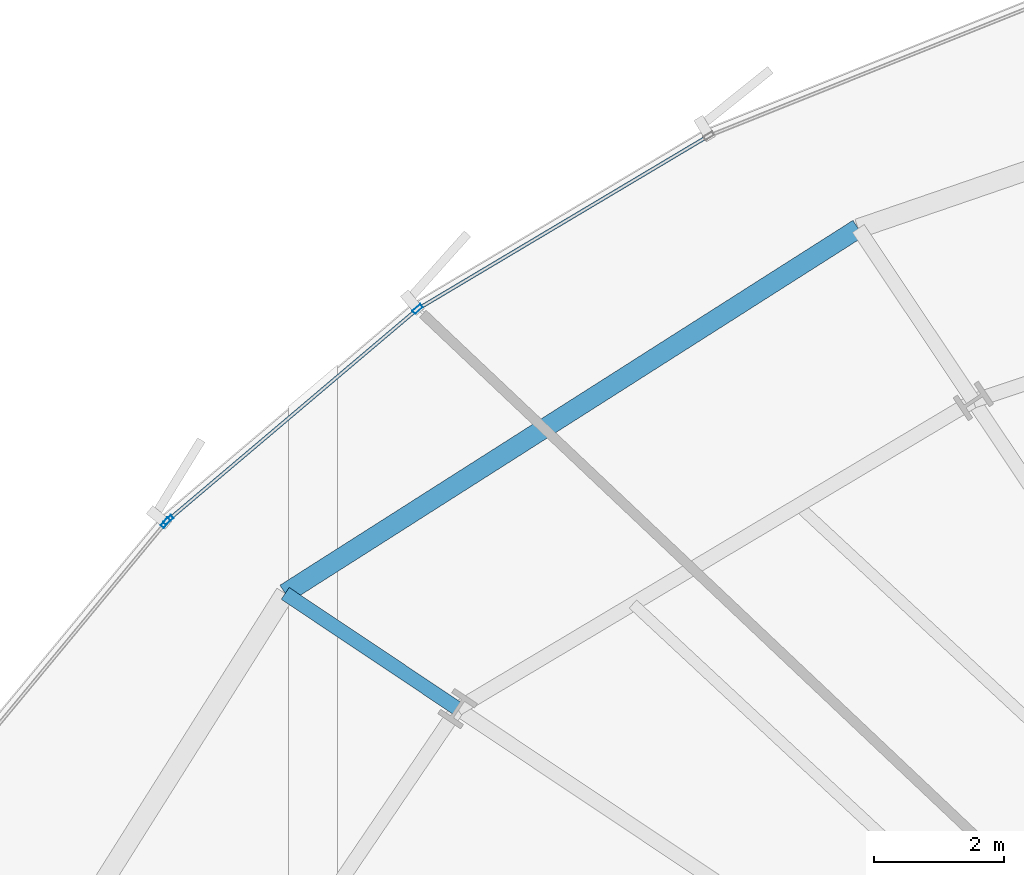
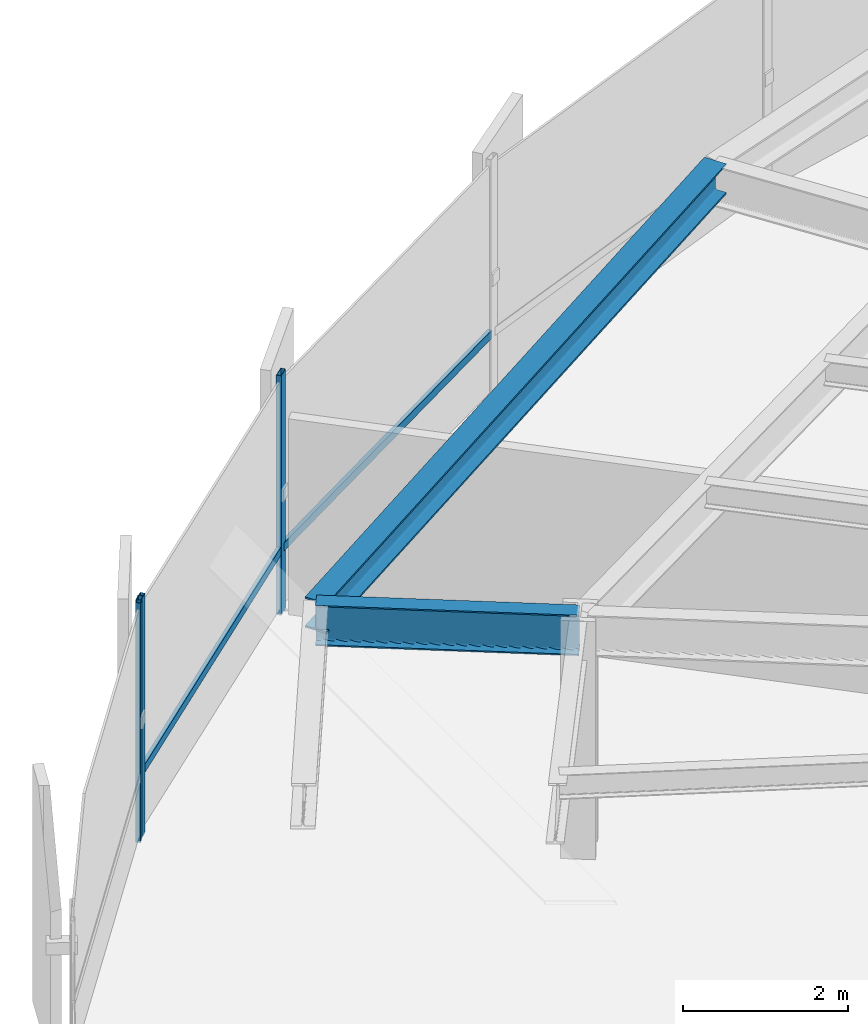
# One storey, part 21 of 39: 5 members, 2 beams, 2 elements without a shape of their own.
"""IFC4 building model written with IfcOpenShell, lengths in metres."""

from ifc_helpers import new_model, si_unit, direction, frame, origin, origin_2d, place, context, subcontext, project, spatial, hollow_rectangle, i_section, extrude, source, transform, mapped, material, layer, layer_set, material_profile, profile_set, type_object, element, aggregate, save


model = new_model("IFC4")

# Units and contexts
model_context = context("Model", 3, precision=1e-05, world=origin(), true_north=direction((0.0, 1.0)))
body_context = subcontext(model_context, "Body", "Model", "MODEL_VIEW")
ifc_project = project(units=[si_unit("LENGTHUNIT", "METRE"), si_unit("AREAUNIT", "SQUARE_METRE"), si_unit("VOLUMEUNIT", "CUBIC_METRE"), si_unit("PLANEANGLEUNIT", "RADIAN"), si_unit("MASSUNIT", "GRAM", prefix="KILO"), si_unit("THERMODYNAMICTEMPERATUREUNIT", "KELVIN")], contexts=[model_context])

# Site, building, storey
site_placement = place(None, origin())
site = spatial("IfcSite", under=ifc_project, at=site_placement, CompositionType="ELEMENT")
building_placement = place(site_placement, origin())
building = spatial("IfcBuilding", under=site, at=building_placement, Name="Kethvar Cultural Tower", CompositionType="ELEMENT")
storey_placement = place(building_placement, frame((0.0, 0.0, 33.39990234375)))
storey = spatial("IfcBuildingStorey", under=building, at=storey_placement, Name="L07", CompositionType="ELEMENT", Elevation=33.39990234375)

# Beams
ifc_material_1 = material(Name="Steel S355J2", Category="steel")
ifc_material_profile_1 = material_profile(ifc_material_1, i_section(OverallWidth=0.219970703125, OverallDepth=0.60009765625, WebThickness=0.011962890625, FlangeThickness=0.01904296875, FilletRadius=0.02392578125, at=origin_2d()), Name="Steel S355J2 — IPE600")
ifc_profile_set_1 = profile_set([ifc_material_profile_1], Name="Steel S355J2 — IPE600")
beam_type_1 = type_object("IfcBeamType", Name="BM-IPE600", PredefinedType="BEAM", material=ifc_profile_set_1)
shared_shape_1 = source(origin(), body_context, "Body", "SweptSolid", [
    extrude(i_section(OverallWidth=0.219970703125, OverallDepth=0.60009765625, WebThickness=0.011962890625, FlangeThickness=0.01904296875, FilletRadius=0.02392578125, at=origin_2d()), origin(), (0.0, 0.0, 1.0), 3.199951171875),
])
beam_1_placement = place(storey_placement, frame((26.6845703125, 41.24072265625, 3.248046875), z_axis=(-0.831462943996, 0.555580212716, 0.0), x_axis=(-0.555580212716, -0.831462943996, 0.0)))
element("IfcBeam", 1, at=beam_1_placement, inside=storey, type_object=beam_type_1, Name="L07 Perimeter Cantilever Beam RC-07", PredefinedType="BEAM", context=body_context, shape_type="MappedRepresentation", body=[
    mapped(shared_shape_1, transform((0.0, 0.0, 0.0), scale=1.0)),
])
ifc_material_profile_2 = material_profile(ifc_material_1, i_section(OverallWidth=0.300048828125, OverallDepth=0.449951171875, WebThickness=0.013916015625, FlangeThickness=0.02587890625, FilletRadius=0.027099609375, at=origin_2d()), Name="Steel S355J2 — HEB450")
ifc_profile_set_2 = profile_set([ifc_material_profile_2], Name="Steel S355J2 — HEB450")
beam_type_2 = type_object("IfcBeamType", Name="BM-SP450", PredefinedType="SPANDREL", material=ifc_profile_set_2)
shared_shape_2 = source(origin(), body_context, "Body", "SweptSolid", [
    extrude(i_section(OverallWidth=0.300048828125, OverallDepth=0.449951171875, WebThickness=0.013916015625, FlangeThickness=0.02587890625, FilletRadius=0.027099609375, at=origin_2d()), origin(), (0.0, 0.0, 1.0), 10.485107421875),
])
beam_2_placement = place(storey_placement, frame((32.8681640625, 48.650390625, 3.322998046875), z_axis=(-0.843502294633, -0.537125570932, 0.0), x_axis=(0.537125570932, -0.843502294633, 0.0)))
element("IfcBeam", 2, at=beam_2_placement, inside=storey, type_object=beam_type_2, Name="L07 Perimeter Spandrel Beam SP-06", PredefinedType="SPANDREL", context=body_context, shape_type="MappedRepresentation", body=[
    mapped(shared_shape_2, transform((0.0, 0.0, 0.0), scale=1.0)),
])

# Curtain wall, members
ifc_material_2 = material(Name="Aluminium 6063-T6", Category="aluminium")
ifc_layer = layer(ifc_material_2, 0.179931640625, Name="Aluminium 6063-T6", Category="aluminium")
ifc_layer_set = layer_set([ifc_layer], Name="Aluminium 6063-T6 (180 mm)")
curtain_wall_type = type_object("IfcCurtainWallType", Name="CW-SYS-02-Z1", PredefinedType="NOTDEFINED", material=ifc_layer_set)
curtain_wall_1_placement = place(storey_placement, origin())
curtain_wall_1 = element("IfcCurtainWall", 3, at=curtain_wall_1_placement, inside=storey, type_object=curtain_wall_type, Name="L07 Curtain Wall Run 03", PredefinedType="NOTDEFINED")
ifc_material_profile_3 = material_profile(ifc_material_2, hollow_rectangle(XDim=0.06494140625, YDim=0.159912109375, WallThickness=0.0048828125, at=origin_2d()), Name="Aluminium 6063-T6 — RHS160x65x5")
ifc_profile_set_3 = profile_set([ifc_material_profile_3], Name="Aluminium 6063-T6 — RHS160x65x5")
member_type_1 = type_object("IfcMemberType", Name="CW-SYS-02-Z1-MUL", PredefinedType="MULLION", material=ifc_profile_set_3)
shared_shape_3 = source(origin(), body_context, "Body", "SweptSolid", [
    extrude(hollow_rectangle(XDim=0.06494140625, YDim=0.159912109375, WallThickness=0.0048828125, at=origin_2d()), origin(), (0.0, 0.0, 1.0), 3.550048828125),
])
member_1_placement = place(storey_placement, frame((26.068115234375, 47.4091796875, 0.0), z_axis=(0.0, 0.0, 1.0), x_axis=(0.646044050583, -0.763300127542, 0.0)))
member_1 = element("IfcMember", 4, at=member_1_placement, type_object=member_type_1, Name="CW-L07-R03 Mullion 6", PredefinedType="MULLION", context=body_context, shape_type="MappedRepresentation", body=[
    mapped(shared_shape_3, transform((0.0, 0.0, 0.0), scale=1.0)),
])
member_2_placement = place(storey_placement, frame((22.220947265625, 44.1533203125, 0.0), z_axis=(0.0, 0.0, 1.0), x_axis=(0.646044050583, -0.763300127542, 0.0)))
member_2 = element("IfcMember", 5, at=member_2_placement, type_object=member_type_1, Name="CW-L07-R03 Mullion 7", PredefinedType="MULLION", context=body_context, shape_type="MappedRepresentation", body=[
    mapped(shared_shape_3, transform((0.0, 0.0, 0.0), scale=1.0)),
])

# Curtain wall, member
curtain_wall_2_placement = place(storey_placement, origin())
curtain_wall_2 = element("IfcCurtainWall", 6, at=curtain_wall_2_placement, inside=storey, type_object=curtain_wall_type, Name="L07 Curtain Wall Run 04", PredefinedType="NOTDEFINED")
member_3_placement = place(storey_placement, frame((22.1767578125, 44.1083984375, 0.0), z_axis=(0.0, 0.0, 1.0), x_axis=(0.770490992012, -0.637450885346, 0.0)))
member_3 = element("IfcMember", 7, at=member_3_placement, type_object=member_type_1, Name="CW-L07-R04 Mullion 1", PredefinedType="MULLION", context=body_context, shape_type="MappedRepresentation", body=[
    mapped(shared_shape_3, transform((0.0, 0.0, 0.0), scale=1.0)),
])
aggregate(curtain_wall_2, [member_3])

# Member
ifc_material_profile_4 = material_profile(ifc_material_2, hollow_rectangle(XDim=0.054931640625, YDim=0.1201171875, WallThickness=0.00390625, at=origin_2d()), Name="Aluminium 6063-T6 — RHS120x55x4")
ifc_profile_set_4 = profile_set([ifc_material_profile_4], Name="Aluminium 6063-T6 — RHS120x55x4")
member_type_2 = type_object("IfcMemberType", Name="CW-SYS-02-Z1-TRN", PredefinedType="USERDEFINED", material=ifc_profile_set_4)
shared_shape_4 = source(origin(), body_context, "Body", "SweptSolid", [
    extrude(hollow_rectangle(XDim=0.054931640625, YDim=0.1201171875, WallThickness=0.00390625, at=origin_2d()), origin(), (0.0, 0.0, 1.0), 5.15625),
])
member_4_placement = place(storey_placement, frame((30.523193359375, 50.05859375, 0.9501953125), z_axis=(-0.859334007138, -0.511414767265, 0.0), x_axis=(0.511414767265, -0.859334007138, 0.0)))
member_4 = element("IfcMember", 8, at=member_4_placement, type_object=member_type_2, Name="CW-L07-R03 Transom 5", ObjectType="TRANSOM", PredefinedType="USERDEFINED", context=body_context, shape_type="MappedRepresentation", body=[
    mapped(shared_shape_4, transform((0.0, 0.0, 0.0), scale=1.0)),
])

shared_shape_5 = source(origin(), body_context, "Body", "SweptSolid", [
    extrude(hollow_rectangle(XDim=0.054931640625, YDim=0.1201171875, WallThickness=0.00390625, at=origin_2d()), origin(), (0.0, 0.0, 1.0), 4.989013671875),
])
member_5_placement = place(storey_placement, frame((26.032470703125, 47.379150390625, 0.9501953125), z_axis=(-0.763297181602, -0.646047531191, 0.0), x_axis=(0.646047531191, -0.763297181602, 0.0)))
member_5 = element("IfcMember", 9, at=member_5_placement, type_object=member_type_2, Name="CW-L07-R03 Transom 6", ObjectType="TRANSOM", PredefinedType="USERDEFINED", context=body_context, shape_type="MappedRepresentation", body=[
    mapped(shared_shape_5, transform((0.0, 0.0, 0.0), scale=1.0)),
])

aggregate(curtain_wall_1, [member_1, member_2, member_4, member_5])

save(model, "model.ifc")
